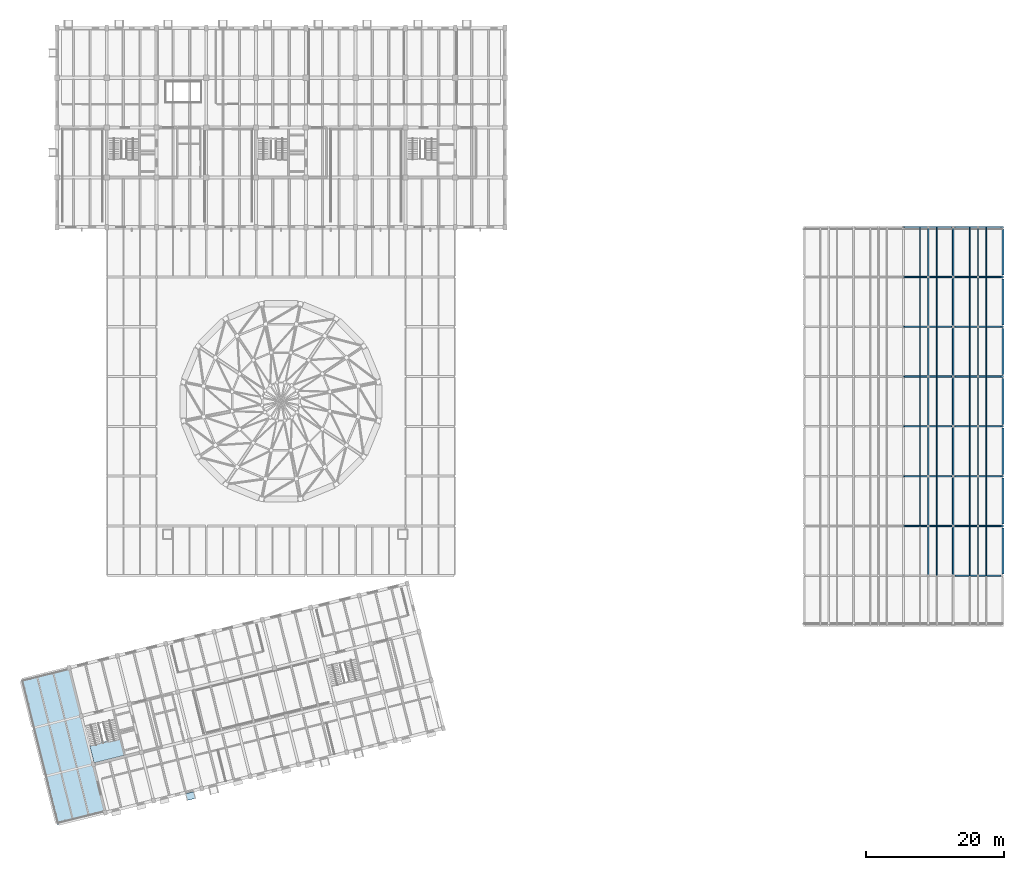
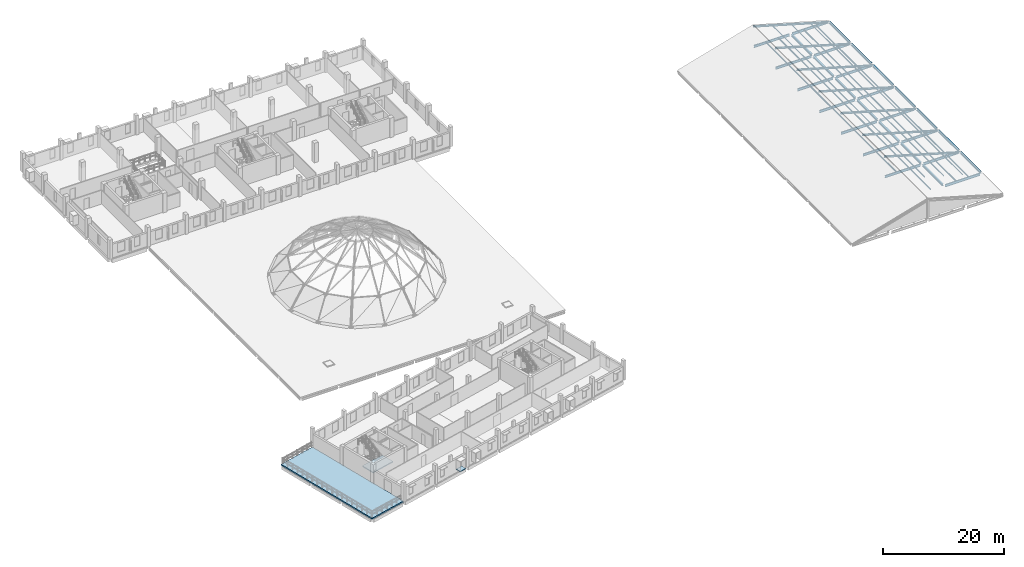
# One storey, part 13 of 32: 56 beams, 28 members, 2 slabs, 1 plate, 1 element without a shape of its own.
"""IFC4 building model written with IfcOpenShell, lengths in metres."""

from ifc_helpers import new_model, si_unit, direction, frame, origin, origin_2d, place, context, subcontext, project, spatial, polyline, hollow_rectangle, i_section, outline, extrude, material, layer, layer_set, material_profile, profile_set, type_object, element, aggregate, save


model = new_model("IFC4")

# Units and contexts
model_context = context("Model", 3, precision=1e-05, world=origin(), true_north=direction((0.0, 1.0)))
body_context = subcontext(model_context, "Body", "Model", "MODEL_VIEW")
ifc_project = project(units=[si_unit("LENGTHUNIT", "METRE"), si_unit("AREAUNIT", "SQUARE_METRE"), si_unit("VOLUMEUNIT", "CUBIC_METRE"), si_unit("PLANEANGLEUNIT", "RADIAN"), si_unit("MASSUNIT", "GRAM", prefix="KILO")], contexts=[model_context])

# Site, building, storey
site_placement = place(None, origin())
site = spatial("IfcSite", under=ifc_project, at=site_placement, CompositionType="ELEMENT")
building_placement = place(site_placement, origin())
building = spatial("IfcBuilding", under=site, at=building_placement, Name="Qiaolan Assembly House", CompositionType="ELEMENT")
storey_placement = place(building_placement, frame((0.0, 0.0, 18.60009765625)))
storey = spatial("IfcBuildingStorey", under=building, at=storey_placement, Name="L04", CompositionType="ELEMENT", Elevation=18.60009765625)

# Beams
ifc_material_1 = material(Name="Steel Q355B", Category="steel")
ifc_material_profile_1 = material_profile(ifc_material_1, i_section(OverallWidth=0.300048828125, OverallDepth=0.389892578125, WebThickness=0.010009765625, FlangeThickness=0.01611328125, FilletRadius=0.01806640625, at=origin_2d()), Name="HM 390x300x10x16")
ifc_profile_set_1 = profile_set([ifc_material_profile_1], Name="Steel Q355B")
beam_type_1 = type_object("IfcBeamType", Name="BM-STL-HM390", PredefinedType="BEAM", material=ifc_profile_set_1)
beam_1_placement = place(storey_placement, frame((165.60009765625, 36.264892578125, -0.295166015625), z_axis=(0.0, 1.0, 0.0), x_axis=(-1.0, 0.0, 0.0)))
element("IfcBeam", 1, at=beam_1_placement, inside=storey, type_object=beam_type_1, Name="SB-08 beam BMY-LBTIE-L04-03-01", PredefinedType="BEAM", context=body_context, shape_type="SweptSolid", body=[
    extrude(i_section(OverallWidth=0.300048828125, OverallDepth=0.389892578125, WebThickness=0.010009765625, FlangeThickness=0.01611328125, FilletRadius=0.01806640625, at=origin_2d()), origin(), (0.0, 0.0, 1.0), 6.670166015625),
])
for number, where, z_axis, x_axis, name in (
    (2, (165.60009765625, 43.465087890625, -0.295166015625), (0.0, 1.0, 0.0), (-1.0, 0.0, 0.0), "SB-08 beam BMY-LBTIE-L04-03-02"),
    (3, (165.60009765625, 50.6650390625, -0.295166015625), (0.0, 1.0, 0.0), (-1.0, 0.0, 0.0), "SB-08 beam BMY-LBTIE-L04-03-03"),
    (4, (165.60009765625, 57.864990234375, -0.295166015625), (0.0, 1.0, 0.0), (-1.0, 0.0, 0.0), "SB-08 beam BMY-LBTIE-L04-03-04"),
):
    element("IfcBeam", number, at=place(storey_placement, frame(where, z_axis=z_axis, x_axis=x_axis)), inside=storey, type_object=beam_type_1, Name=name, PredefinedType="BEAM", context=body_context, shape_type="SweptSolid", body=[
        extrude(i_section(OverallWidth=0.300048828125, OverallDepth=0.389892578125, WebThickness=0.010009765625, FlangeThickness=0.01611328125, FilletRadius=0.01806640625, at=origin_2d()), origin(), (0.0, 0.0, 1.0), 6.669921875),
    ])
for number, where, z_axis, x_axis, name in (
    (5, (165.60009765625, 65.06494140625, -0.295166015625), (0.0, 1.0, 0.0), (-1.0, 0.0, 0.0), "SB-08 beam BMY-LBTIE-L04-03-05"),
    (6, (165.60009765625, 72.264892578125, -0.295166015625), (0.0, 1.0, 0.0), (-1.0, 0.0, 0.0), "SB-08 beam BMY-LBTIE-L04-03-06"),
):
    element("IfcBeam", number, at=place(storey_placement, frame(where, z_axis=z_axis, x_axis=x_axis)), inside=storey, type_object=beam_type_1, Name=name, PredefinedType="BEAM", context=body_context, shape_type="SweptSolid", body=[
        extrude(i_section(OverallWidth=0.300048828125, OverallDepth=0.389892578125, WebThickness=0.010009765625, FlangeThickness=0.01611328125, FilletRadius=0.01806640625, at=origin_2d()), origin(), (0.0, 0.0, 1.0), 6.670166015625),
    ])
beam_2_placement = place(storey_placement, frame((165.60009765625, 79.465087890625, -0.295166015625), z_axis=(0.0, 1.0, 0.0), x_axis=(-1.0, 0.0, 0.0)))
element("IfcBeam", 7, at=beam_2_placement, inside=storey, type_object=beam_type_1, Name="SB-08 beam BMY-LBTIE-L04-03-07", PredefinedType="BEAM", context=body_context, shape_type="SweptSolid", body=[
    extrude(i_section(OverallWidth=0.300048828125, OverallDepth=0.389892578125, WebThickness=0.010009765625, FlangeThickness=0.01611328125, FilletRadius=0.01806640625, at=origin_2d()), origin(), (0.0, 0.0, 1.0), 6.669921875),
])
beam_3_placement = place(storey_placement, frame((172.800048828125, 36.264892578125, -0.295166015625), z_axis=(0.0, 1.0, 0.0), x_axis=(-1.0, 0.0, 0.0)))
element("IfcBeam", 8, at=beam_3_placement, inside=storey, type_object=beam_type_1, Name="SB-08 beam BMY-LBTIE-L04-04-01", PredefinedType="BEAM", context=body_context, shape_type="SweptSolid", body=[
    extrude(i_section(OverallWidth=0.300048828125, OverallDepth=0.389892578125, WebThickness=0.010009765625, FlangeThickness=0.01611328125, FilletRadius=0.01806640625, at=origin_2d()), origin(), (0.0, 0.0, 1.0), 6.670166015625),
])
for number, where, z_axis, x_axis, name in (
    (9, (172.800048828125, 43.465087890625, -0.295166015625), (0.0, 1.0, 0.0), (-1.0, 0.0, 0.0), "SB-08 beam BMY-LBTIE-L04-04-02"),
    (10, (172.800048828125, 50.6650390625, -0.295166015625), (0.0, 1.0, 0.0), (-1.0, 0.0, 0.0), "SB-08 beam BMY-LBTIE-L04-04-03"),
    (11, (172.800048828125, 57.864990234375, -0.295166015625), (0.0, 1.0, 0.0), (-1.0, 0.0, 0.0), "SB-08 beam BMY-LBTIE-L04-04-04"),
):
    element("IfcBeam", number, at=place(storey_placement, frame(where, z_axis=z_axis, x_axis=x_axis)), inside=storey, type_object=beam_type_1, Name=name, PredefinedType="BEAM", context=body_context, shape_type="SweptSolid", body=[
        extrude(i_section(OverallWidth=0.300048828125, OverallDepth=0.389892578125, WebThickness=0.010009765625, FlangeThickness=0.01611328125, FilletRadius=0.01806640625, at=origin_2d()), origin(), (0.0, 0.0, 1.0), 6.669921875),
    ])
for number, where, z_axis, x_axis, name in (
    (12, (172.800048828125, 65.06494140625, -0.295166015625), (0.0, 1.0, 0.0), (-1.0, 0.0, 0.0), "SB-08 beam BMY-LBTIE-L04-04-05"),
    (13, (172.800048828125, 72.264892578125, -0.295166015625), (0.0, 1.0, 0.0), (-1.0, 0.0, 0.0), "SB-08 beam BMY-LBTIE-L04-04-06"),
):
    element("IfcBeam", number, at=place(storey_placement, frame(where, z_axis=z_axis, x_axis=x_axis)), inside=storey, type_object=beam_type_1, Name=name, PredefinedType="BEAM", context=body_context, shape_type="SweptSolid", body=[
        extrude(i_section(OverallWidth=0.300048828125, OverallDepth=0.389892578125, WebThickness=0.010009765625, FlangeThickness=0.01611328125, FilletRadius=0.01806640625, at=origin_2d()), origin(), (0.0, 0.0, 1.0), 6.670166015625),
    ])
beam_4_placement = place(storey_placement, frame((172.800048828125, 79.465087890625, -0.295166015625), z_axis=(0.0, 1.0, 0.0), x_axis=(-1.0, 0.0, 0.0)))
element("IfcBeam", 14, at=beam_4_placement, inside=storey, type_object=beam_type_1, Name="SB-08 beam BMY-LBTIE-L04-04-07", PredefinedType="BEAM", context=body_context, shape_type="SweptSolid", body=[
    extrude(i_section(OverallWidth=0.300048828125, OverallDepth=0.389892578125, WebThickness=0.010009765625, FlangeThickness=0.01611328125, FilletRadius=0.01806640625, at=origin_2d()), origin(), (0.0, 0.0, 1.0), 6.669921875),
])
ifc_material_profile_2 = material_profile(ifc_material_1, i_section(OverallWidth=0.199951171875, OverallDepth=0.5, WebThickness=0.010009765625, FlangeThickness=0.01611328125, FilletRadius=0.01806640625, at=origin_2d()), Name="HN 500x200x10x16")
ifc_profile_set_2 = profile_set([ifc_material_profile_2], Name="Steel Q355B")
beam_type_2 = type_object("IfcBeamType", Name="BM-STL-HN500", PredefinedType="BEAM", material=ifc_profile_set_2)
beam_5_placement = place(storey_placement, frame((165.864990234375, 36.0, -0.35009765625), z_axis=(1.0, 0.0, 0.0), x_axis=(0.0, 1.0, 0.0)))
element("IfcBeam", 15, at=beam_5_placement, inside=storey, type_object=beam_type_2, Name="SB-05 beam BMX-LBTIE-L04-03-01", PredefinedType="BEAM", context=body_context, shape_type="SweptSolid", body=[
    extrude(i_section(OverallWidth=0.199951171875, OverallDepth=0.5, WebThickness=0.010009765625, FlangeThickness=0.01611328125, FilletRadius=0.01806640625, at=origin_2d()), origin(), (0.0, 0.0, 1.0), 6.669921875),
])
beam_6_placement = place(storey_placement, frame((158.5400390625, 43.199951171875, -0.35009765625), z_axis=(1.0, 0.0, 0.0), x_axis=(0.0, 1.0, 0.0)))
element("IfcBeam", 16, at=beam_6_placement, inside=storey, type_object=beam_type_2, Name="SB-05 beam BMX-LBTIE-L04-02-02", PredefinedType="BEAM", context=body_context, shape_type="SweptSolid", body=[
    extrude(i_section(OverallWidth=0.199951171875, OverallDepth=0.5, WebThickness=0.010009765625, FlangeThickness=0.01611328125, FilletRadius=0.01806640625, at=origin_2d()), origin(), (0.0, 0.0, 1.0), 6.794921875),
])
beam_7_placement = place(storey_placement, frame((165.864990234375, 43.199951171875, -0.35009765625), z_axis=(1.0, 0.0, 0.0), x_axis=(0.0, 1.0, 0.0)))
element("IfcBeam", 17, at=beam_7_placement, inside=storey, type_object=beam_type_2, Name="SB-05 beam BMX-LBTIE-L04-03-02", PredefinedType="BEAM", context=body_context, shape_type="SweptSolid", body=[
    extrude(i_section(OverallWidth=0.199951171875, OverallDepth=0.5, WebThickness=0.010009765625, FlangeThickness=0.01611328125, FilletRadius=0.01806640625, at=origin_2d()), origin(), (0.0, 0.0, 1.0), 6.669921875),
])
beam_8_placement = place(storey_placement, frame((158.5400390625, 50.39990234375, -0.35009765625), z_axis=(1.0, 0.0, 0.0), x_axis=(0.0, 1.0, 0.0)))
element("IfcBeam", 18, at=beam_8_placement, inside=storey, type_object=beam_type_2, Name="SB-05 beam BMX-LBTIE-L04-02-03", PredefinedType="BEAM", context=body_context, shape_type="SweptSolid", body=[
    extrude(i_section(OverallWidth=0.199951171875, OverallDepth=0.5, WebThickness=0.010009765625, FlangeThickness=0.01611328125, FilletRadius=0.01806640625, at=origin_2d()), origin(), (0.0, 0.0, 1.0), 6.794921875),
])
beam_9_placement = place(storey_placement, frame((165.864990234375, 50.39990234375, -0.35009765625), z_axis=(1.0, 0.0, 0.0), x_axis=(0.0, 1.0, 0.0)))
element("IfcBeam", 19, at=beam_9_placement, inside=storey, type_object=beam_type_2, Name="SB-05 beam BMX-LBTIE-L04-03-03", PredefinedType="BEAM", context=body_context, shape_type="SweptSolid", body=[
    extrude(i_section(OverallWidth=0.199951171875, OverallDepth=0.5, WebThickness=0.010009765625, FlangeThickness=0.01611328125, FilletRadius=0.01806640625, at=origin_2d()), origin(), (0.0, 0.0, 1.0), 6.669921875),
])
beam_10_placement = place(storey_placement, frame((158.5400390625, 57.60009765625, -0.35009765625), z_axis=(1.0, 0.0, 0.0), x_axis=(0.0, 1.0, 0.0)))
element("IfcBeam", 20, at=beam_10_placement, inside=storey, type_object=beam_type_2, Name="SB-05 beam BMX-LBTIE-L04-02-04", PredefinedType="BEAM", context=body_context, shape_type="SweptSolid", body=[
    extrude(i_section(OverallWidth=0.199951171875, OverallDepth=0.5, WebThickness=0.010009765625, FlangeThickness=0.01611328125, FilletRadius=0.01806640625, at=origin_2d()), origin(), (0.0, 0.0, 1.0), 6.794921875),
])
beam_11_placement = place(storey_placement, frame((165.864990234375, 57.60009765625, -0.35009765625), z_axis=(1.0, 0.0, 0.0), x_axis=(0.0, 1.0, 0.0)))
element("IfcBeam", 21, at=beam_11_placement, inside=storey, type_object=beam_type_2, Name="SB-05 beam BMX-LBTIE-L04-03-04", PredefinedType="BEAM", context=body_context, shape_type="SweptSolid", body=[
    extrude(i_section(OverallWidth=0.199951171875, OverallDepth=0.5, WebThickness=0.010009765625, FlangeThickness=0.01611328125, FilletRadius=0.01806640625, at=origin_2d()), origin(), (0.0, 0.0, 1.0), 6.669921875),
])
beam_12_placement = place(storey_placement, frame((158.5400390625, 64.800048828125, -0.35009765625), z_axis=(1.0, 0.0, 0.0), x_axis=(0.0, 1.0, 0.0)))
element("IfcBeam", 22, at=beam_12_placement, inside=storey, type_object=beam_type_2, Name="SB-05 beam BMX-LBTIE-L04-02-05", PredefinedType="BEAM", context=body_context, shape_type="SweptSolid", body=[
    extrude(i_section(OverallWidth=0.199951171875, OverallDepth=0.5, WebThickness=0.010009765625, FlangeThickness=0.01611328125, FilletRadius=0.01806640625, at=origin_2d()), origin(), (0.0, 0.0, 1.0), 6.794921875),
])
beam_13_placement = place(storey_placement, frame((165.864990234375, 64.800048828125, -0.35009765625), z_axis=(1.0, 0.0, 0.0), x_axis=(0.0, 1.0, 0.0)))
element("IfcBeam", 23, at=beam_13_placement, inside=storey, type_object=beam_type_2, Name="SB-05 beam BMX-LBTIE-L04-03-05", PredefinedType="BEAM", context=body_context, shape_type="SweptSolid", body=[
    extrude(i_section(OverallWidth=0.199951171875, OverallDepth=0.5, WebThickness=0.010009765625, FlangeThickness=0.01611328125, FilletRadius=0.01806640625, at=origin_2d()), origin(), (0.0, 0.0, 1.0), 6.669921875),
])
beam_14_placement = place(storey_placement, frame((158.5400390625, 72.0, -0.35009765625), z_axis=(1.0, 0.0, 0.0), x_axis=(0.0, 1.0, 0.0)))
element("IfcBeam", 24, at=beam_14_placement, inside=storey, type_object=beam_type_2, Name="SB-05 beam BMX-LBTIE-L04-02-06", PredefinedType="BEAM", context=body_context, shape_type="SweptSolid", body=[
    extrude(i_section(OverallWidth=0.199951171875, OverallDepth=0.5, WebThickness=0.010009765625, FlangeThickness=0.01611328125, FilletRadius=0.01806640625, at=origin_2d()), origin(), (0.0, 0.0, 1.0), 6.794921875),
])
beam_15_placement = place(storey_placement, frame((165.864990234375, 72.0, -0.35009765625), z_axis=(1.0, 0.0, 0.0), x_axis=(0.0, 1.0, 0.0)))
element("IfcBeam", 25, at=beam_15_placement, inside=storey, type_object=beam_type_2, Name="SB-05 beam BMX-LBTIE-L04-03-06", PredefinedType="BEAM", context=body_context, shape_type="SweptSolid", body=[
    extrude(i_section(OverallWidth=0.199951171875, OverallDepth=0.5, WebThickness=0.010009765625, FlangeThickness=0.01611328125, FilletRadius=0.01806640625, at=origin_2d()), origin(), (0.0, 0.0, 1.0), 6.669921875),
])
beam_16_placement = place(storey_placement, frame((158.5400390625, 79.199951171875, -0.35009765625), z_axis=(1.0, 0.0, 0.0), x_axis=(0.0, 1.0, 0.0)))
element("IfcBeam", 26, at=beam_16_placement, inside=storey, type_object=beam_type_2, Name="SB-05 beam BMX-LBTIE-L04-02-07", PredefinedType="BEAM", context=body_context, shape_type="SweptSolid", body=[
    extrude(i_section(OverallWidth=0.199951171875, OverallDepth=0.5, WebThickness=0.010009765625, FlangeThickness=0.01611328125, FilletRadius=0.01806640625, at=origin_2d()), origin(), (0.0, 0.0, 1.0), 6.794921875),
])
beam_17_placement = place(storey_placement, frame((165.864990234375, 79.199951171875, -0.35009765625), z_axis=(1.0, 0.0, 0.0), x_axis=(0.0, 1.0, 0.0)))
element("IfcBeam", 27, at=beam_17_placement, inside=storey, type_object=beam_type_2, Name="SB-05 beam BMX-LBTIE-L04-03-07", PredefinedType="BEAM", context=body_context, shape_type="SweptSolid", body=[
    extrude(i_section(OverallWidth=0.199951171875, OverallDepth=0.5, WebThickness=0.010009765625, FlangeThickness=0.01611328125, FilletRadius=0.01806640625, at=origin_2d()), origin(), (0.0, 0.0, 1.0), 6.669921875),
])
beam_18_placement = place(storey_placement, frame((158.5400390625, 86.39990234375, -0.35009765625), z_axis=(1.0, 0.0, 0.0), x_axis=(0.0, 1.0, 0.0)))
element("IfcBeam", 28, at=beam_18_placement, inside=storey, type_object=beam_type_2, Name="SB-05 beam BMX-LBTIE-L04-02-08", PredefinedType="BEAM", context=body_context, shape_type="SweptSolid", body=[
    extrude(i_section(OverallWidth=0.199951171875, OverallDepth=0.5, WebThickness=0.010009765625, FlangeThickness=0.01611328125, FilletRadius=0.01806640625, at=origin_2d()), origin(), (0.0, 0.0, 1.0), 6.794921875),
])
beam_19_placement = place(storey_placement, frame((165.864990234375, 86.39990234375, -0.35009765625), z_axis=(1.0, 0.0, 0.0), x_axis=(0.0, 1.0, 0.0)))
element("IfcBeam", 29, at=beam_19_placement, inside=storey, type_object=beam_type_2, Name="SB-05 beam BMX-LBTIE-L04-03-08", PredefinedType="BEAM", context=body_context, shape_type="SweptSolid", body=[
    extrude(i_section(OverallWidth=0.199951171875, OverallDepth=0.5, WebThickness=0.010009765625, FlangeThickness=0.01611328125, FilletRadius=0.01806640625, at=origin_2d()), origin(), (0.0, 0.0, 1.0), 6.669921875),
])
ifc_material_profile_3 = material_profile(ifc_material_1, i_section(OverallWidth=0.125, OverallDepth=0.25, WebThickness=0.006103515625, FlangeThickness=0.009033203125, FilletRadius=0.011962890625, at=origin_2d()), Name="HN 250x125x6x9")
ifc_profile_set_3 = profile_set([ifc_material_profile_3], Name="Steel Q355B")
beam_type_3 = type_object("IfcBeamType", Name="JST-STL-HN250", PredefinedType="JOIST", material=ifc_profile_set_3)
for number, where, z_axis, x_axis, name in (
    (30, (163.199951171875, 36.093994140625, -0.22509765625), (0.0, 1.0, 0.0), (-1.0, 0.0, 0.0), "SJ-03 beam JST-LBTIE-L04-02-01-2"),
    (31, (160.800048828125, 43.2939453125, -0.22509765625), (0.0, 1.0, 0.0), (-1.0, 0.0, 0.0), "SJ-03 beam JST-LBTIE-L04-02-02-1"),
    (32, (163.199951171875, 43.2939453125, -0.22509765625), (0.0, 1.0, 0.0), (-1.0, 0.0, 0.0), "SJ-03 beam JST-LBTIE-L04-02-02-2"),
):
    element("IfcBeam", number, at=place(storey_placement, frame(where, z_axis=z_axis, x_axis=x_axis)), inside=storey, type_object=beam_type_3, Name=name, PredefinedType="JOIST", context=body_context, shape_type="SweptSolid", body=[
        extrude(i_section(OverallWidth=0.125, OverallDepth=0.25, WebThickness=0.006103515625, FlangeThickness=0.009033203125, FilletRadius=0.011962890625, at=origin_2d()), origin(), (0.0, 0.0, 1.0), 7.011962890625),
    ])
for number, where, z_axis, x_axis, name in (
    (33, (160.800048828125, 50.493896484375, -0.22509765625), (0.0, 1.0, 0.0), (-1.0, 0.0, 0.0), "SJ-03 beam JST-LBTIE-L04-02-03-1"),
    (34, (163.199951171875, 50.493896484375, -0.22509765625), (0.0, 1.0, 0.0), (-1.0, 0.0, 0.0), "SJ-03 beam JST-LBTIE-L04-02-03-2"),
):
    element("IfcBeam", number, at=place(storey_placement, frame(where, z_axis=z_axis, x_axis=x_axis)), inside=storey, type_object=beam_type_3, Name=name, PredefinedType="JOIST", context=body_context, shape_type="SweptSolid", body=[
        extrude(i_section(OverallWidth=0.125, OverallDepth=0.25, WebThickness=0.006103515625, FlangeThickness=0.009033203125, FilletRadius=0.011962890625, at=origin_2d()), origin(), (0.0, 0.0, 1.0), 7.01220703125),
    ])
for number, where, z_axis, x_axis, name in (
    (35, (160.800048828125, 57.694091796875, -0.22509765625), (0.0, 1.0, 0.0), (-1.0, 0.0, 0.0), "SJ-03 beam JST-LBTIE-L04-02-04-1"),
    (36, (163.199951171875, 57.694091796875, -0.22509765625), (0.0, 1.0, 0.0), (-1.0, 0.0, 0.0), "SJ-03 beam JST-LBTIE-L04-02-04-2"),
    (37, (160.800048828125, 64.89404296875, -0.22509765625), (0.0, 1.0, 0.0), (-1.0, 0.0, 0.0), "SJ-03 beam JST-LBTIE-L04-02-05-1"),
    (38, (163.199951171875, 64.89404296875, -0.22509765625), (0.0, 1.0, 0.0), (-1.0, 0.0, 0.0), "SJ-03 beam JST-LBTIE-L04-02-05-2"),
    (39, (160.800048828125, 72.093994140625, -0.22509765625), (0.0, 1.0, 0.0), (-1.0, 0.0, 0.0), "SJ-03 beam JST-LBTIE-L04-02-06-1"),
    (40, (163.199951171875, 72.093994140625, -0.22509765625), (0.0, 1.0, 0.0), (-1.0, 0.0, 0.0), "SJ-03 beam JST-LBTIE-L04-02-06-2"),
    (41, (160.800048828125, 79.2939453125, -0.22509765625), (0.0, 1.0, 0.0), (-1.0, 0.0, 0.0), "SJ-03 beam JST-LBTIE-L04-02-07-1"),
    (42, (163.199951171875, 79.2939453125, -0.22509765625), (0.0, 1.0, 0.0), (-1.0, 0.0, 0.0), "SJ-03 beam JST-LBTIE-L04-02-07-2"),
    (43, (168.0, 36.093994140625, -0.22509765625), (0.0, 1.0, 0.0), (-1.0, 0.0, 0.0), "SJ-03 beam JST-LBTIE-L04-03-01-1"),
    (44, (170.39990234375, 36.093994140625, -0.22509765625), (0.0, 1.0, 0.0), (-1.0, 0.0, 0.0), "SJ-03 beam JST-LBTIE-L04-03-01-2"),
    (45, (168.0, 43.2939453125, -0.22509765625), (0.0, 1.0, 0.0), (-1.0, 0.0, 0.0), "SJ-03 beam JST-LBTIE-L04-03-02-1"),
    (46, (170.39990234375, 43.2939453125, -0.22509765625), (0.0, 1.0, 0.0), (-1.0, 0.0, 0.0), "SJ-03 beam JST-LBTIE-L04-03-02-2"),
):
    element("IfcBeam", number, at=place(storey_placement, frame(where, z_axis=z_axis, x_axis=x_axis)), inside=storey, type_object=beam_type_3, Name=name, PredefinedType="JOIST", context=body_context, shape_type="SweptSolid", body=[
        extrude(i_section(OverallWidth=0.125, OverallDepth=0.25, WebThickness=0.006103515625, FlangeThickness=0.009033203125, FilletRadius=0.011962890625, at=origin_2d()), origin(), (0.0, 0.0, 1.0), 7.011962890625),
    ])
for number, where, z_axis, x_axis, name in (
    (47, (168.0, 50.493896484375, -0.22509765625), (0.0, 1.0, 0.0), (-1.0, 0.0, 0.0), "SJ-03 beam JST-LBTIE-L04-03-03-1"),
    (48, (170.39990234375, 50.493896484375, -0.22509765625), (0.0, 1.0, 0.0), (-1.0, 0.0, 0.0), "SJ-03 beam JST-LBTIE-L04-03-03-2"),
):
    element("IfcBeam", number, at=place(storey_placement, frame(where, z_axis=z_axis, x_axis=x_axis)), inside=storey, type_object=beam_type_3, Name=name, PredefinedType="JOIST", context=body_context, shape_type="SweptSolid", body=[
        extrude(i_section(OverallWidth=0.125, OverallDepth=0.25, WebThickness=0.006103515625, FlangeThickness=0.009033203125, FilletRadius=0.011962890625, at=origin_2d()), origin(), (0.0, 0.0, 1.0), 7.01220703125),
    ])
for number, where, z_axis, x_axis, name in (
    (49, (168.0, 57.694091796875, -0.22509765625), (0.0, 1.0, 0.0), (-1.0, 0.0, 0.0), "SJ-03 beam JST-LBTIE-L04-03-04-1"),
    (50, (170.39990234375, 57.694091796875, -0.22509765625), (0.0, 1.0, 0.0), (-1.0, 0.0, 0.0), "SJ-03 beam JST-LBTIE-L04-03-04-2"),
    (51, (168.0, 64.89404296875, -0.22509765625), (0.0, 1.0, 0.0), (-1.0, 0.0, 0.0), "SJ-03 beam JST-LBTIE-L04-03-05-1"),
    (52, (170.39990234375, 64.89404296875, -0.22509765625), (0.0, 1.0, 0.0), (-1.0, 0.0, 0.0), "SJ-03 beam JST-LBTIE-L04-03-05-2"),
    (53, (168.0, 72.093994140625, -0.22509765625), (0.0, 1.0, 0.0), (-1.0, 0.0, 0.0), "SJ-03 beam JST-LBTIE-L04-03-06-1"),
    (54, (170.39990234375, 72.093994140625, -0.22509765625), (0.0, 1.0, 0.0), (-1.0, 0.0, 0.0), "SJ-03 beam JST-LBTIE-L04-03-06-2"),
    (55, (168.0, 79.2939453125, -0.22509765625), (0.0, 1.0, 0.0), (-1.0, 0.0, 0.0), "SJ-03 beam JST-LBTIE-L04-03-07-1"),
    (56, (170.39990234375, 79.2939453125, -0.22509765625), (0.0, 1.0, 0.0), (-1.0, 0.0, 0.0), "SJ-03 beam JST-LBTIE-L04-03-07-2"),
):
    element("IfcBeam", number, at=place(storey_placement, frame(where, z_axis=z_axis, x_axis=x_axis)), inside=storey, type_object=beam_type_3, Name=name, PredefinedType="JOIST", context=body_context, shape_type="SweptSolid", body=[
        extrude(i_section(OverallWidth=0.125, OverallDepth=0.25, WebThickness=0.006103515625, FlangeThickness=0.009033203125, FilletRadius=0.011962890625, at=origin_2d()), origin(), (0.0, 0.0, 1.0), 7.011962890625),
    ])

# Members
ifc_material_profile_4 = material_profile(ifc_material_1, i_section(OverallWidth=0.25, OverallDepth=0.340087890625, WebThickness=0.009033203125, FlangeThickness=0.013916015625, FilletRadius=0.01611328125, at=origin_2d()), Name="HM 340x250x9x14-RF")
ifc_profile_set_4 = profile_set([ifc_material_profile_4], Name="Steel Q355B")
member_type_1 = type_object("IfcMemberType", Name="MBR-HIP-RAFTER-HM340", PredefinedType="RAFTER", material=ifc_profile_set_4)
for number, where, z_axis, x_axis, name in (
    (57, (158.39990234375, 43.199951171875, 3.7568359375), (0.96037716028, 0.0, -0.278703623968), (0.0, 1.0, 0.0), "RF-01 library pitched rafter E-43"),
    (58, (158.39990234375, 50.39990234375, 3.7568359375), (0.96037716028, 0.0, -0.278703623968), (0.0, 1.0, 0.0), "RF-01 library pitched rafter E-50"),
    (59, (158.39990234375, 57.60009765625, 3.7568359375), (0.96037716028, 0.0, -0.278703623968), (0.0, 1.0, 0.0), "RF-01 library pitched rafter E-57"),
    (60, (158.39990234375, 64.800048828125, 3.7568359375), (0.96037716028, 0.0, -0.278703623968), (0.0, 1.0, 0.0), "RF-01 library pitched rafter E-64"),
    (61, (158.39990234375, 72.0, 3.7568359375), (0.96037716028, 0.0, -0.278703623968), (0.0, 1.0, 0.0), "RF-01 library pitched rafter E-72"),
    (62, (158.39990234375, 79.199951171875, 3.7568359375), (0.96037716028, 0.0, -0.278703623968), (0.0, 1.0, 0.0), "RF-01 library pitched rafter E-79"),
    (63, (158.39990234375, 86.39990234375, 3.7568359375), (0.96037716028, 0.0, -0.278703623968), (0.0, 1.0, 0.0), "RF-01 library pitched rafter E-86"),
):
    element("IfcMember", number, at=place(storey_placement, frame(where, z_axis=z_axis, x_axis=x_axis)), inside=storey, type_object=member_type_1, Name=name, PredefinedType="RAFTER", context=body_context, shape_type="SweptSolid", body=[
        extrude(i_section(OverallWidth=0.25, OverallDepth=0.340087890625, WebThickness=0.009033203125, FlangeThickness=0.013916015625, FilletRadius=0.01611328125, at=origin_2d()), origin(), (0.0, 0.0, 1.0), 14.994140625),
    ])
ifc_material_profile_5 = material_profile(ifc_material_1, hollow_rectangle(XDim=0.1201171875, YDim=0.219970703125, WallThickness=0.008056640625, InnerFilletRadius=0.008056640625, OuterFilletRadius=0.01611328125, at=origin_2d()), Name="RHS 220x120x8")
ifc_profile_set_5 = profile_set([ifc_material_profile_5], Name="Steel Q355B")
member_type_2 = type_object("IfcMemberType", Name="MBR-PURLIN-RHS220", PredefinedType="PURLIN", material=ifc_profile_set_5)
for number, where, z_axis, x_axis, name in (
    (64, (162.0, 36.0, 2.7646484375), (0.0, 1.0, 0.0), (-1.0, 0.0, 0.0), "PR-02 library roof purlin E"),
    (65, (162.0, 43.199951171875, 2.7646484375), (0.0, 1.0, 0.0), (-1.0, 0.0, 0.0), "PR-02 library roof purlin E"),
):
    element("IfcMember", number, at=place(storey_placement, frame(where, z_axis=z_axis, x_axis=x_axis)), inside=storey, type_object=member_type_2, Name=name, PredefinedType="PURLIN", context=body_context, shape_type="SweptSolid", body=[
        extrude(hollow_rectangle(XDim=0.1201171875, YDim=0.219970703125, WallThickness=0.008056640625, InnerFilletRadius=0.008056640625, OuterFilletRadius=0.01611328125, at=origin_2d()), origin(), (0.0, 0.0, 1.0), 7.199951171875),
    ])
member_1_placement = place(storey_placement, frame((162.0, 50.39990234375, 2.7646484375), z_axis=(0.0, 1.0, 0.0), x_axis=(-1.0, 0.0, 0.0)))
element("IfcMember", 66, at=member_1_placement, inside=storey, type_object=member_type_2, Name="PR-02 library roof purlin E", PredefinedType="PURLIN", context=body_context, shape_type="SweptSolid", body=[
    extrude(hollow_rectangle(XDim=0.1201171875, YDim=0.219970703125, WallThickness=0.008056640625, InnerFilletRadius=0.008056640625, OuterFilletRadius=0.01611328125, at=origin_2d()), origin(), (0.0, 0.0, 1.0), 7.2001953125),
])
for number, where, z_axis, x_axis, name in (
    (67, (162.0, 57.60009765625, 2.7646484375), (0.0, 1.0, 0.0), (-1.0, 0.0, 0.0), "PR-02 library roof purlin E"),
    (68, (162.0, 64.800048828125, 2.7646484375), (0.0, 1.0, 0.0), (-1.0, 0.0, 0.0), "PR-02 library roof purlin E"),
    (69, (162.0, 72.0, 2.7646484375), (0.0, 1.0, 0.0), (-1.0, 0.0, 0.0), "PR-02 library roof purlin E"),
    (70, (162.0, 79.199951171875, 2.7646484375), (0.0, 1.0, 0.0), (-1.0, 0.0, 0.0), "PR-02 library roof purlin E"),
    (71, (165.60009765625, 36.0, 1.732421875), (0.0, 1.0, 0.0), (-1.0, 0.0, 0.0), "PR-02 library roof purlin E"),
    (72, (165.60009765625, 43.199951171875, 1.732421875), (0.0, 1.0, 0.0), (-1.0, 0.0, 0.0), "PR-02 library roof purlin E"),
):
    element("IfcMember", number, at=place(storey_placement, frame(where, z_axis=z_axis, x_axis=x_axis)), inside=storey, type_object=member_type_2, Name=name, PredefinedType="PURLIN", context=body_context, shape_type="SweptSolid", body=[
        extrude(hollow_rectangle(XDim=0.1201171875, YDim=0.219970703125, WallThickness=0.008056640625, InnerFilletRadius=0.008056640625, OuterFilletRadius=0.01611328125, at=origin_2d()), origin(), (0.0, 0.0, 1.0), 7.199951171875),
    ])
member_2_placement = place(storey_placement, frame((165.60009765625, 50.39990234375, 1.732421875), z_axis=(0.0, 1.0, 0.0), x_axis=(-1.0, 0.0, 0.0)))
element("IfcMember", 73, at=member_2_placement, inside=storey, type_object=member_type_2, Name="PR-02 library roof purlin E", PredefinedType="PURLIN", context=body_context, shape_type="SweptSolid", body=[
    extrude(hollow_rectangle(XDim=0.1201171875, YDim=0.219970703125, WallThickness=0.008056640625, InnerFilletRadius=0.008056640625, OuterFilletRadius=0.01611328125, at=origin_2d()), origin(), (0.0, 0.0, 1.0), 7.2001953125),
])
for number, where, z_axis, x_axis, name in (
    (74, (165.60009765625, 57.60009765625, 1.732421875), (0.0, 1.0, 0.0), (-1.0, 0.0, 0.0), "PR-02 library roof purlin E"),
    (75, (165.60009765625, 64.800048828125, 1.732421875), (0.0, 1.0, 0.0), (-1.0, 0.0, 0.0), "PR-02 library roof purlin E"),
    (76, (165.60009765625, 72.0, 1.732421875), (0.0, 1.0, 0.0), (-1.0, 0.0, 0.0), "PR-02 library roof purlin E"),
    (77, (165.60009765625, 79.199951171875, 1.732421875), (0.0, 1.0, 0.0), (-1.0, 0.0, 0.0), "PR-02 library roof purlin E"),
    (78, (169.199951171875, 36.0, 0.7001953125), (0.0, 1.0, 0.0), (-1.0, 0.0, 0.0), "PR-02 library roof purlin E"),
    (79, (169.199951171875, 43.199951171875, 0.7001953125), (0.0, 1.0, 0.0), (-1.0, 0.0, 0.0), "PR-02 library roof purlin E"),
):
    element("IfcMember", number, at=place(storey_placement, frame(where, z_axis=z_axis, x_axis=x_axis)), inside=storey, type_object=member_type_2, Name=name, PredefinedType="PURLIN", context=body_context, shape_type="SweptSolid", body=[
        extrude(hollow_rectangle(XDim=0.1201171875, YDim=0.219970703125, WallThickness=0.008056640625, InnerFilletRadius=0.008056640625, OuterFilletRadius=0.01611328125, at=origin_2d()), origin(), (0.0, 0.0, 1.0), 7.199951171875),
    ])
member_3_placement = place(storey_placement, frame((169.199951171875, 50.39990234375, 0.7001953125), z_axis=(0.0, 1.0, 0.0), x_axis=(-1.0, 0.0, 0.0)))
element("IfcMember", 80, at=member_3_placement, inside=storey, type_object=member_type_2, Name="PR-02 library roof purlin E", PredefinedType="PURLIN", context=body_context, shape_type="SweptSolid", body=[
    extrude(hollow_rectangle(XDim=0.1201171875, YDim=0.219970703125, WallThickness=0.008056640625, InnerFilletRadius=0.008056640625, OuterFilletRadius=0.01611328125, at=origin_2d()), origin(), (0.0, 0.0, 1.0), 7.2001953125),
])
for number, where, z_axis, x_axis, name in (
    (81, (169.199951171875, 57.60009765625, 0.7001953125), (0.0, 1.0, 0.0), (-1.0, 0.0, 0.0), "PR-02 library roof purlin E"),
    (82, (169.199951171875, 64.800048828125, 0.7001953125), (0.0, 1.0, 0.0), (-1.0, 0.0, 0.0), "PR-02 library roof purlin E"),
    (83, (169.199951171875, 72.0, 0.7001953125), (0.0, 1.0, 0.0), (-1.0, 0.0, 0.0), "PR-02 library roof purlin E"),
    (84, (169.199951171875, 79.199951171875, 0.7001953125), (0.0, 1.0, 0.0), (-1.0, 0.0, 0.0), "PR-02 library roof purlin E"),
):
    element("IfcMember", number, at=place(storey_placement, frame(where, z_axis=z_axis, x_axis=x_axis)), inside=storey, type_object=member_type_2, Name=name, PredefinedType="PURLIN", context=body_context, shape_type="SweptSolid", body=[
        extrude(hollow_rectangle(XDim=0.1201171875, YDim=0.219970703125, WallThickness=0.008056640625, InnerFilletRadius=0.008056640625, OuterFilletRadius=0.01611328125, at=origin_2d()), origin(), (0.0, 0.0, 1.0), 7.199951171875),
    ])

# Plate
ifc_material_2 = material(Name="Honed pale limestone", Category="masonry")
ifc_layer_1 = layer(ifc_material_2, 0.080078125)
ifc_layer_set_1 = layer_set([ifc_layer_1], Name="Honed pale limestone")
plate_type = type_object("IfcPlateType", Name="PLT-WINBOX-SURROUND", PredefinedType="SHEET", material=ifc_layer_set_1)
plate_placement = place(storey_placement, frame((0.0, 0.0, 0.619873046875)))
element("IfcPlate", 85, at=plate_placement, inside=storey, type_object=plate_type, Name="WB-01 projecting limestone window-box sill SES-L04-01-2", PredefinedType="SHEET", context=body_context, shape_type="SweptSolid", body=[
    extrude(outline(polyline([(54.827880859375, 3.498779296875), (56.06005859375, 3.80615234375), (55.818115234375, 4.7763671875), (54.5859375, 4.468994140625), (54.827880859375, 3.498779296875)])), origin(), (0.0, 0.0, 1.0), 0.080078125),
])

# Stair, slab
ifc_material_3 = material(Name="Concrete C40/50", Category="concrete")
stair_type = type_object("IfcStairType", Name="STR-UPPER-390", PredefinedType="HALF_TURN_STAIR", material=ifc_material_3)
stair_placement = place(storey_placement, origin())
stair = element("IfcStair", 86, at=stair_placement, inside=storey, type_object=stair_type, Name="ST-08 enclosed egress stair CORE-C L04", PredefinedType="HALF_TURN_STAIR")
ifc_layer_2 = layer(ifc_material_3, 0.199951171875)
ifc_layer_set_2 = layer_set([ifc_layer_2], Name="Concrete C40/50")
slab_type_1 = type_object("IfcSlabType", Name="SLB-LANDING-200", PredefinedType="LANDING", material=ifc_layer_set_2)
slab_1_placement = place(storey_placement, frame((0.0, 0.0, 1.75)))
slab_1 = element("IfcSlab", 87, at=slab_1_placement, type_object=slab_type_1, Name="Stair landing LND-CORE-C-L04-HL", PredefinedType="LANDING", context=body_context, shape_type="SweptSolid", body=[
    extrude(outline(polyline([(41.37548828125, 8.946044921875), (40.74755859375, 11.464111328125), (45.15283203125, 12.5625), (45.780517578125, 10.04443359375), (41.37548828125, 8.946044921875)])), origin(), (0.0, 0.0, 1.0), 0.199951171875),
])
aggregate(stair, [slab_1])

# Slab
ifc_layer_3 = layer(ifc_material_3, 0.260009765625)
ifc_layer_set_3 = layer_set([ifc_layer_3], Name="Concrete C40/50")
slab_type_2 = type_object("IfcSlabType", Name="SLB-TERR-260", PredefinedType="ROOF", material=ifc_layer_set_3)
slab_2_placement = place(storey_placement, frame((0.0, 0.0, -0.260009765625)))
element("IfcSlab", 88, at=slab_2_placement, inside=storey, type_object=slab_type_2, Name="FS-09 L04 Splayed West Terrace Slab", PredefinedType="ROOF", context=body_context, shape_type="SweptSolid", body=[
    extrude(outline(polyline([(36.0, 0.0), (42.986083984375, 1.741943359375), (37.760498046875, 22.7001953125), (30.7744140625, 20.95849609375), (36.0, 0.0)])), origin(), (0.0, 0.0, 1.0), 0.260009765625),
])

save(model, "model.ifc")
